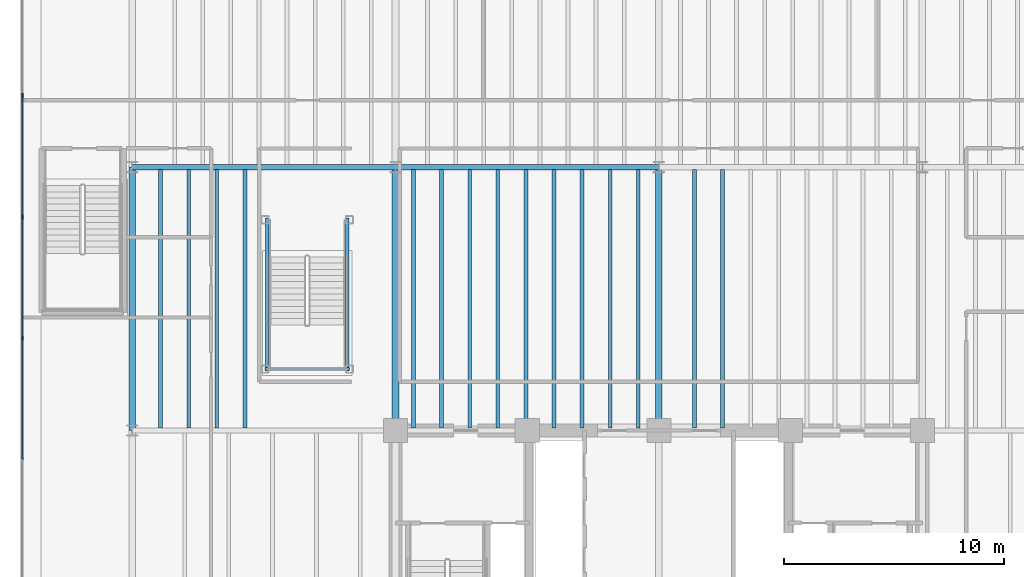
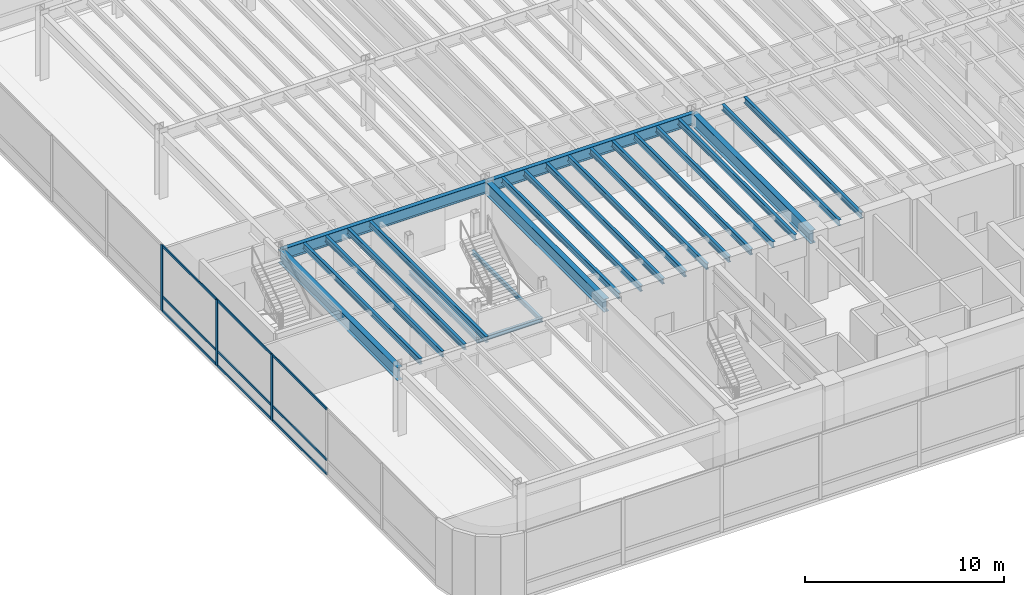
# One storey, part 5 of 19: 23 beams, 12 members, 1 element without a shape of its own.
"""IFC4 building model written with IfcOpenShell, lengths in metres."""

from ifc_helpers import new_model, si_unit, direction, frame, origin, origin_2d, place, context, subcontext, project, spatial, rectangle, i_section, extrude, source, transform, mapped, material, layer, layer_set, material_profile, profile_set, type_object, element, aggregate, save


model = new_model("IFC4")

# Units and contexts
model_context = context("Model", 3, precision=1e-05, world=origin(), true_north=direction((0.0, 1.0)))
body_context = subcontext(model_context, "Body", "Model", "MODEL_VIEW")
ifc_project = project(units=[si_unit("LENGTHUNIT", "METRE"), si_unit("AREAUNIT", "SQUARE_METRE"), si_unit("VOLUMEUNIT", "CUBIC_METRE"), si_unit("PLANEANGLEUNIT", "RADIAN"), si_unit("MASSUNIT", "GRAM", prefix="KILO")], contexts=[model_context])

# Site, building, storey
site_placement = place(None, origin())
site = spatial("IfcSite", under=ifc_project, at=site_placement, CompositionType="ELEMENT")
building_placement = place(site_placement, origin())
building = spatial("IfcBuilding", under=site, at=building_placement, Name="Brelvock Crest Care Tower", CompositionType="ELEMENT")
storey_placement = place(building_placement, frame((0.0, 0.0, 14.0400390625)))
storey = spatial("IfcBuildingStorey", under=building, at=storey_placement, Name="L03", CompositionType="ELEMENT", Elevation=14.0400390625)

# Beams
ifc_material_1 = material(Name="Steel Grade 350", Category="steel")
ifc_material_profile_1 = material_profile(ifc_material_1, i_section(OverallWidth=0.300048828125, OverallDepth=0.800048828125, WebThickness=0.013916015625, FlangeThickness=0.02197265625, at=origin_2d()), Name="800WB192")
ifc_profile_set_1 = profile_set([ifc_material_profile_1], Name="Steel Grade 350")
beam_type_1 = type_object("IfcBeamType", Name="BM-G5", PredefinedType="BEAM", material=ifc_profile_set_1)
shared_shape_1 = source(origin(), body_context, "Body", "SweptSolid", [
    extrude(i_section(OverallWidth=0.300048828125, OverallDepth=0.800048828125, WebThickness=0.013916015625, FlangeThickness=0.02197265625, at=origin_2d()), origin(), (0.0, 0.0, 1.0), 12.0),
])
for number, where, z_axis, x_axis, name in (
    (1, (12.0, 18.0, 3.639892578125), (0.0, 1.0, 0.0), (-1.0, 0.0, 0.0), "BM-PODY-L03-12-18"),
    (2, (24.0, 18.0, 3.639892578125), (0.0, 1.0, 0.0), (-1.0, 0.0, 0.0), "BM-PODY-L03-24-18"),
    (3, (36.0, 18.0, 3.639892578125), (0.0, 1.0, 0.0), (-1.0, 0.0, 0.0), "BM-PODY-L03-36-18"),
):
    element("IfcBeam", number, at=place(storey_placement, frame(where, z_axis=z_axis, x_axis=x_axis)), inside=storey, type_object=beam_type_1, Name=name, PredefinedType="BEAM", context=body_context, shape_type="MappedRepresentation", body=[
        mapped(shared_shape_1, transform((0.0, 0.0, 0.0), x_axis=(1.0, 0.0, 0.0), y_axis=(0.0, 1.0, 0.0), z_axis=(0.0, 0.0, 1.0), scale=1.0)),
    ])
ifc_material_profile_2 = material_profile(ifc_material_1, i_section(OverallWidth=0.172119140625, OverallDepth=0.35888671875, WebThickness=0.008056640625, FlangeThickness=0.012939453125, FilletRadius=0.011474609375, at=origin_2d()), Name="360UB56.7")
ifc_profile_set_2 = profile_set([ifc_material_profile_2], Name="Steel Grade 350")
beam_type_2 = type_object("IfcBeamType", Name="BM-J1", PredefinedType="JOIST", material=ifc_profile_set_2)
shared_shape_2 = source(origin(), body_context, "Body", "SweptSolid", [
    extrude(i_section(OverallWidth=0.172119140625, OverallDepth=0.35888671875, WebThickness=0.008056640625, FlangeThickness=0.012939453125, FilletRadius=0.011474609375, at=origin_2d()), origin(), (0.0, 0.0, 1.0), 11.77001953125),
])
for number, where, z_axis, x_axis, name in (
    (4, (13.300048828125, 18.114990234375, 3.8603515625), (0.0, 1.0, 0.0), (-1.0, 0.0, 0.0), "BM-PODJ-L03-1330-18"),
    (5, (14.580078125, 18.114990234375, 3.8603515625), (0.0, 1.0, 0.0), (-1.0, 0.0, 0.0), "BM-PODJ-L03-1458-18"),
    (6, (15.860107421875, 18.114990234375, 3.8603515625), (0.0, 1.0, 0.0), (-1.0, 0.0, 0.0), "BM-PODJ-L03-1586-18"),
    (7, (17.139892578125, 18.114990234375, 3.8603515625), (0.0, 1.0, 0.0), (-1.0, 0.0, 0.0), "BM-PODJ-L03-1714-18"),
    (8, (24.820068359375, 18.114990234375, 3.8603515625), (0.0, 1.0, 0.0), (-1.0, 0.0, 0.0), "BM-PODJ-L03-2482-18"),
    (9, (26.10009765625, 18.114990234375, 3.8603515625), (0.0, 1.0, 0.0), (-1.0, 0.0, 0.0), "BM-PODJ-L03-2610-18"),
    (10, (27.3798828125, 18.114990234375, 3.8603515625), (0.0, 1.0, 0.0), (-1.0, 0.0, 0.0), "BM-PODJ-L03-2738-18"),
    (11, (28.659912109375, 18.114990234375, 3.8603515625), (0.0, 1.0, 0.0), (-1.0, 0.0, 0.0), "BM-PODJ-L03-2866-18"),
    (12, (29.93994140625, 18.114990234375, 3.8603515625), (0.0, 1.0, 0.0), (-1.0, 0.0, 0.0), "BM-PODJ-L03-2994-18"),
    (13, (31.219970703125, 18.114990234375, 3.8603515625), (0.0, 1.0, 0.0), (-1.0, 0.0, 0.0), "BM-PODJ-L03-3122-18"),
    (14, (32.5, 18.114990234375, 3.8603515625), (0.0, 1.0, 0.0), (-1.0, 0.0, 0.0), "BM-PODJ-L03-3250-18"),
    (15, (33.780029296875, 18.114990234375, 3.8603515625), (0.0, 1.0, 0.0), (-1.0, 0.0, 0.0), "BM-PODJ-L03-3378-18"),
    (16, (35.06005859375, 18.114990234375, 3.8603515625), (0.0, 1.0, 0.0), (-1.0, 0.0, 0.0), "BM-PODJ-L03-3506-18"),
    (17, (37.6201171875, 18.114990234375, 3.8603515625), (0.0, 1.0, 0.0), (-1.0, 0.0, 0.0), "BM-PODJ-L03-3762-18"),
    (18, (38.89990234375, 18.114990234375, 3.8603515625), (0.0, 1.0, 0.0), (-1.0, 0.0, 0.0), "BM-PODJ-L03-3890-18"),
):
    element("IfcBeam", number, at=place(storey_placement, frame(where, z_axis=z_axis, x_axis=x_axis)), inside=storey, type_object=beam_type_2, Name=name, PredefinedType="JOIST", context=body_context, shape_type="MappedRepresentation", body=[
        mapped(shared_shape_2, transform((0.0, 0.0, 0.0), x_axis=(1.0, 0.0, 0.0), y_axis=(0.0, 1.0, 0.0), z_axis=(0.0, 0.0, 1.0), scale=1.0)),
    ])
ifc_material_profile_3 = material_profile(ifc_material_1, i_section(OverallWidth=0.14599609375, OverallDepth=0.256103515625, WebThickness=0.00634765625, FlangeThickness=0.010986328125, FilletRadius=0.0087890625, at=origin_2d()), Name="250UB37.3")
ifc_profile_set_3 = profile_set([ifc_material_profile_3], Name="Steel Grade 350")
beam_type_3 = type_object("IfcBeamType", Name="BM-J3", PredefinedType="JOIST", material=ifc_profile_set_3)
shared_shape_3 = source(origin(), body_context, "Body", "SweptSolid", [
    extrude(i_section(OverallWidth=0.14599609375, OverallDepth=0.256103515625, WebThickness=0.00634765625, FlangeThickness=0.010986328125, FilletRadius=0.0087890625, at=origin_2d()), origin(), (0.0, 0.0, 1.0), 3.83984375),
])
beam_placement = place(storey_placement, frame((18.06005859375, 20.800048828125, 1.83203125), z_axis=(1.0, 0.0, 0.0), x_axis=(0.0, 1.0, 0.0)))
element("IfcBeam", 19, at=beam_placement, inside=storey, type_object=beam_type_3, Name="BM-ST5L-L03-1-H", PredefinedType="JOIST", context=body_context, shape_type="MappedRepresentation", body=[
    mapped(shared_shape_3, transform((0.0, 0.0, 0.0), x_axis=(1.0, 0.0, 0.0), y_axis=(0.0, 1.0, 0.0), z_axis=(0.0, 0.0, 1.0), scale=1.0)),
])
shared_shape_4 = source(origin(), body_context, "Body", "SweptSolid", [
    extrude(i_section(OverallWidth=0.14599609375, OverallDepth=0.256103515625, WebThickness=0.00634765625, FlangeThickness=0.010986328125, FilletRadius=0.0087890625, at=origin_2d()), origin(), (0.0, 0.0, 1.0), 6.9599609375),
])
for number, where, z_axis, x_axis, name in (
    (20, (18.159912109375, 20.719970703125, 1.83203125), (0.0, 1.0, 0.0), (-1.0, 0.0, 0.0), "BM-ST5L-L03-1-W"),
    (21, (21.800048828125, 20.719970703125, 1.83203125), (0.0, 1.0, 0.0), (-1.0, 0.0, 0.0), "BM-ST5L-L03-1-E"),
):
    element("IfcBeam", number, at=place(storey_placement, frame(where, z_axis=z_axis, x_axis=x_axis)), inside=storey, type_object=beam_type_3, Name=name, PredefinedType="JOIST", context=body_context, shape_type="MappedRepresentation", body=[
        mapped(shared_shape_4, transform((0.0, 0.0, 0.0), x_axis=(1.0, 0.0, 0.0), y_axis=(0.0, 1.0, 0.0), z_axis=(0.0, 0.0, 1.0), scale=1.0)),
    ])
ifc_material_profile_4 = material_profile(ifc_material_1, i_section(OverallWidth=0.25, OverallDepth=0.699951171875, WebThickness=0.011962890625, FlangeThickness=0.02001953125, at=origin_2d()), Name="700WB150")
ifc_profile_set_4 = profile_set([ifc_material_profile_4], Name="Steel Grade 350")
beam_type_4 = type_object("IfcBeamType", Name="BM-G4", PredefinedType="BEAM", material=ifc_profile_set_4)
shared_shape_5 = source(origin(), body_context, "Body", "SweptSolid", [
    extrude(i_section(OverallWidth=0.25, OverallDepth=0.699951171875, WebThickness=0.011962890625, FlangeThickness=0.02001953125, at=origin_2d()), origin(), (0.0, 0.0, 1.0), 12.0),
])
for number, where, z_axis, x_axis, name in (
    (22, (12.0, 30.0, 3.68994140625), (1.0, 0.0, 0.0), (0.0, 1.0, 0.0), "BM-PODX-L03-30-12"),
    (23, (24.0, 30.0, 3.68994140625), (1.0, 0.0, 0.0), (0.0, 1.0, 0.0), "BM-PODX-L03-30-24"),
):
    element("IfcBeam", number, at=place(storey_placement, frame(where, z_axis=z_axis, x_axis=x_axis)), inside=storey, type_object=beam_type_4, Name=name, PredefinedType="BEAM", context=body_context, shape_type="MappedRepresentation", body=[
        mapped(shared_shape_5, transform((0.0, 0.0, 0.0), x_axis=(1.0, 0.0, 0.0), y_axis=(0.0, 1.0, 0.0), z_axis=(0.0, 0.0, 1.0), scale=1.0)),
    ])

# Curtain wall, members
ifc_material_2 = material(Name="Dark Glass Double Glazed Low-E", Category="glass")
ifc_layer = layer(ifc_material_2, 0.179931640625, Name="CWS-1")
ifc_layer_set = layer_set([ifc_layer], Name="Dark Glass Double Glazed Low-E")
curtain_wall_type = type_object("IfcCurtainWallType", Name="CWS-1", PredefinedType="NOTDEFINED", material=ifc_layer_set)
curtain_wall_placement = place(storey_placement, origin())
curtain_wall = element("IfcCurtainWall", 24, at=curtain_wall_placement, inside=storey, type_object=curtain_wall_type, Name="L03 Curtain Wall E04", PredefinedType="NOTDEFINED")
ifc_material_3 = material(Name="Aluminium 6063-T6", Category="aluminium")
ifc_material_profile_5 = material_profile(ifc_material_3, rectangle(XDim=0.06494140625, YDim=0.199951171875, at=origin_2d()), Name="ALU65x200")
ifc_profile_set_5 = profile_set([ifc_material_profile_5], Name="Aluminium 6063-T6")
member_type_1 = type_object("IfcMemberType", Name="CWM-1", PredefinedType="MULLION", material=ifc_profile_set_5)
shared_shape_6 = source(origin(), body_context, "Body", "SweptSolid", [
    extrude(rectangle(XDim=0.06494140625, YDim=0.199951171875, at=origin_2d()), origin(), (0.0, 0.0, 1.0), 4.0400390625),
])
member_1_placement = place(storey_placement, frame((7.0, 22.199951171875, 0.0), z_axis=(0.0, 0.0, 1.0), x_axis=(-1.0, 0.0, 0.0)))
member_1 = element("IfcMember", 25, at=member_1_placement, type_object=member_type_1, Name="CW-1 mullion 4", PredefinedType="MULLION", context=body_context, shape_type="MappedRepresentation", body=[
    mapped(shared_shape_6, transform((0.0, 0.0, 0.0), x_axis=(1.0, 0.0, 0.0), y_axis=(0.0, 1.0, 0.0), z_axis=(0.0, 0.0, 1.0), scale=1.0)),
])
member_2_placement = place(storey_placement, frame((7.0, 27.7333984375, 0.0), z_axis=(0.0, 0.0, 1.0), x_axis=(-1.0, 0.0, 0.0)))
member_2 = element("IfcMember", 26, at=member_2_placement, type_object=member_type_1, Name="CW-1 mullion 5", PredefinedType="MULLION", context=body_context, shape_type="MappedRepresentation", body=[
    mapped(shared_shape_6, transform((0.0, 0.0, 0.0), x_axis=(1.0, 0.0, 0.0), y_axis=(0.0, 1.0, 0.0), z_axis=(0.0, 0.0, 1.0), scale=1.0)),
])
member_3_placement = place(storey_placement, frame((7.0, 33.2666015625, 0.0), z_axis=(0.0, 0.0, 1.0), x_axis=(-1.0, 0.0, 0.0)))
member_3 = element("IfcMember", 27, at=member_3_placement, type_object=member_type_1, Name="CW-1 mullion 6", PredefinedType="MULLION", context=body_context, shape_type="MappedRepresentation", body=[
    mapped(shared_shape_6, transform((0.0, 0.0, 0.0), x_axis=(1.0, 0.0, 0.0), y_axis=(0.0, 1.0, 0.0), z_axis=(0.0, 0.0, 1.0), scale=1.0)),
])
ifc_material_profile_6 = material_profile(ifc_material_3, rectangle(XDim=0.06494140625, YDim=0.14990234375, at=origin_2d()), Name="ALU65x150")
ifc_profile_set_6 = profile_set([ifc_material_profile_6], Name="Aluminium 6063-T6")
member_type_2 = type_object("IfcMemberType", Name="CWT-1", PredefinedType="USERDEFINED", material=ifc_profile_set_6)
shared_shape_7 = source(origin(), body_context, "Body", "SweptSolid", [
    extrude(rectangle(XDim=0.06494140625, YDim=0.14990234375, at=origin_2d()), origin(), (0.0, 0.0, 1.0), 5.468505859375),
])
member_4_placement = place(storey_placement, frame((7.0, 22.232421875, 0.032470703125), z_axis=(0.0, 1.0, 0.0), x_axis=(-1.0, 0.0, 0.0)))
member_4 = element("IfcMember", 28, at=member_4_placement, type_object=member_type_2, Name="CW-1 transom 4.1", ObjectType="TRANSOM", PredefinedType="USERDEFINED", context=body_context, shape_type="MappedRepresentation", body=[
    mapped(shared_shape_7, transform((0.0, 0.0, 0.0), x_axis=(1.0, 0.0, 0.0), y_axis=(0.0, 1.0, 0.0), z_axis=(0.0, 0.0, 1.0), scale=1.0)),
])
member_5_placement = place(storey_placement, frame((7.0, 22.232421875, 0.89990234375), z_axis=(0.0, 1.0, 0.0), x_axis=(-1.0, 0.0, 0.0)))
member_5 = element("IfcMember", 29, at=member_5_placement, type_object=member_type_2, Name="CW-1 transom 4.2", ObjectType="TRANSOM", PredefinedType="USERDEFINED", context=body_context, shape_type="MappedRepresentation", body=[
    mapped(shared_shape_7, transform((0.0, 0.0, 0.0), x_axis=(1.0, 0.0, 0.0), y_axis=(0.0, 1.0, 0.0), z_axis=(0.0, 0.0, 1.0), scale=1.0)),
])
member_6_placement = place(storey_placement, frame((7.0, 22.232421875, 4.007568359375), z_axis=(0.0, 1.0, 0.0), x_axis=(-1.0, 0.0, 0.0)))
member_6 = element("IfcMember", 30, at=member_6_placement, type_object=member_type_2, Name="CW-1 transom 4.3", ObjectType="TRANSOM", PredefinedType="USERDEFINED", context=body_context, shape_type="MappedRepresentation", body=[
    mapped(shared_shape_7, transform((0.0, 0.0, 0.0), x_axis=(1.0, 0.0, 0.0), y_axis=(0.0, 1.0, 0.0), z_axis=(0.0, 0.0, 1.0), scale=1.0)),
])
shared_shape_8 = source(origin(), body_context, "Body", "SweptSolid", [
    extrude(rectangle(XDim=0.06494140625, YDim=0.14990234375, at=origin_2d()), origin(), (0.0, 0.0, 1.0), 5.46826171875),
])
member_7_placement = place(storey_placement, frame((7.0, 16.69921875, 0.032470703125), z_axis=(0.0, 1.0, 0.0), x_axis=(-1.0, 0.0, 0.0)))
member_7 = element("IfcMember", 31, at=member_7_placement, type_object=member_type_2, Name="CW-1 transom 3.1", ObjectType="TRANSOM", PredefinedType="USERDEFINED", context=body_context, shape_type="MappedRepresentation", body=[
    mapped(shared_shape_8, transform((0.0, 0.0, 0.0), x_axis=(1.0, 0.0, 0.0), y_axis=(0.0, 1.0, 0.0), z_axis=(0.0, 0.0, 1.0), scale=1.0)),
])
member_8_placement = place(storey_placement, frame((7.0, 16.69921875, 0.89990234375), z_axis=(0.0, 1.0, 0.0), x_axis=(-1.0, 0.0, 0.0)))
member_8 = element("IfcMember", 32, at=member_8_placement, type_object=member_type_2, Name="CW-1 transom 3.2", ObjectType="TRANSOM", PredefinedType="USERDEFINED", context=body_context, shape_type="MappedRepresentation", body=[
    mapped(shared_shape_8, transform((0.0, 0.0, 0.0), x_axis=(1.0, 0.0, 0.0), y_axis=(0.0, 1.0, 0.0), z_axis=(0.0, 0.0, 1.0), scale=1.0)),
])
member_9_placement = place(storey_placement, frame((7.0, 16.69921875, 4.007568359375), z_axis=(0.0, 1.0, 0.0), x_axis=(-1.0, 0.0, 0.0)))
member_9 = element("IfcMember", 33, at=member_9_placement, type_object=member_type_2, Name="CW-1 transom 3.3", ObjectType="TRANSOM", PredefinedType="USERDEFINED", context=body_context, shape_type="MappedRepresentation", body=[
    mapped(shared_shape_8, transform((0.0, 0.0, 0.0), x_axis=(1.0, 0.0, 0.0), y_axis=(0.0, 1.0, 0.0), z_axis=(0.0, 0.0, 1.0), scale=1.0)),
])
member_10_placement = place(storey_placement, frame((7.0, 27.765869140625, 0.032470703125), z_axis=(0.0, 1.0, 0.0), x_axis=(-1.0, 0.0, 0.0)))
member_10 = element("IfcMember", 34, at=member_10_placement, type_object=member_type_2, Name="CW-1 transom 5.1", ObjectType="TRANSOM", PredefinedType="USERDEFINED", context=body_context, shape_type="MappedRepresentation", body=[
    mapped(shared_shape_8, transform((0.0, 0.0, 0.0), x_axis=(1.0, 0.0, 0.0), y_axis=(0.0, 1.0, 0.0), z_axis=(0.0, 0.0, 1.0), scale=1.0)),
])
member_11_placement = place(storey_placement, frame((7.0, 27.765869140625, 0.89990234375), z_axis=(0.0, 1.0, 0.0), x_axis=(-1.0, 0.0, 0.0)))
member_11 = element("IfcMember", 35, at=member_11_placement, type_object=member_type_2, Name="CW-1 transom 5.2", ObjectType="TRANSOM", PredefinedType="USERDEFINED", context=body_context, shape_type="MappedRepresentation", body=[
    mapped(shared_shape_8, transform((0.0, 0.0, 0.0), x_axis=(1.0, 0.0, 0.0), y_axis=(0.0, 1.0, 0.0), z_axis=(0.0, 0.0, 1.0), scale=1.0)),
])
member_12_placement = place(storey_placement, frame((7.0, 27.765869140625, 4.007568359375), z_axis=(0.0, 1.0, 0.0), x_axis=(-1.0, 0.0, 0.0)))
member_12 = element("IfcMember", 36, at=member_12_placement, type_object=member_type_2, Name="CW-1 transom 5.3", ObjectType="TRANSOM", PredefinedType="USERDEFINED", context=body_context, shape_type="MappedRepresentation", body=[
    mapped(shared_shape_8, transform((0.0, 0.0, 0.0), x_axis=(1.0, 0.0, 0.0), y_axis=(0.0, 1.0, 0.0), z_axis=(0.0, 0.0, 1.0), scale=1.0)),
])
aggregate(curtain_wall, [member_1, member_2, member_3, member_7, member_8, member_9, member_4, member_5, member_6, member_10, member_11, member_12])

save(model, "model.ifc")
